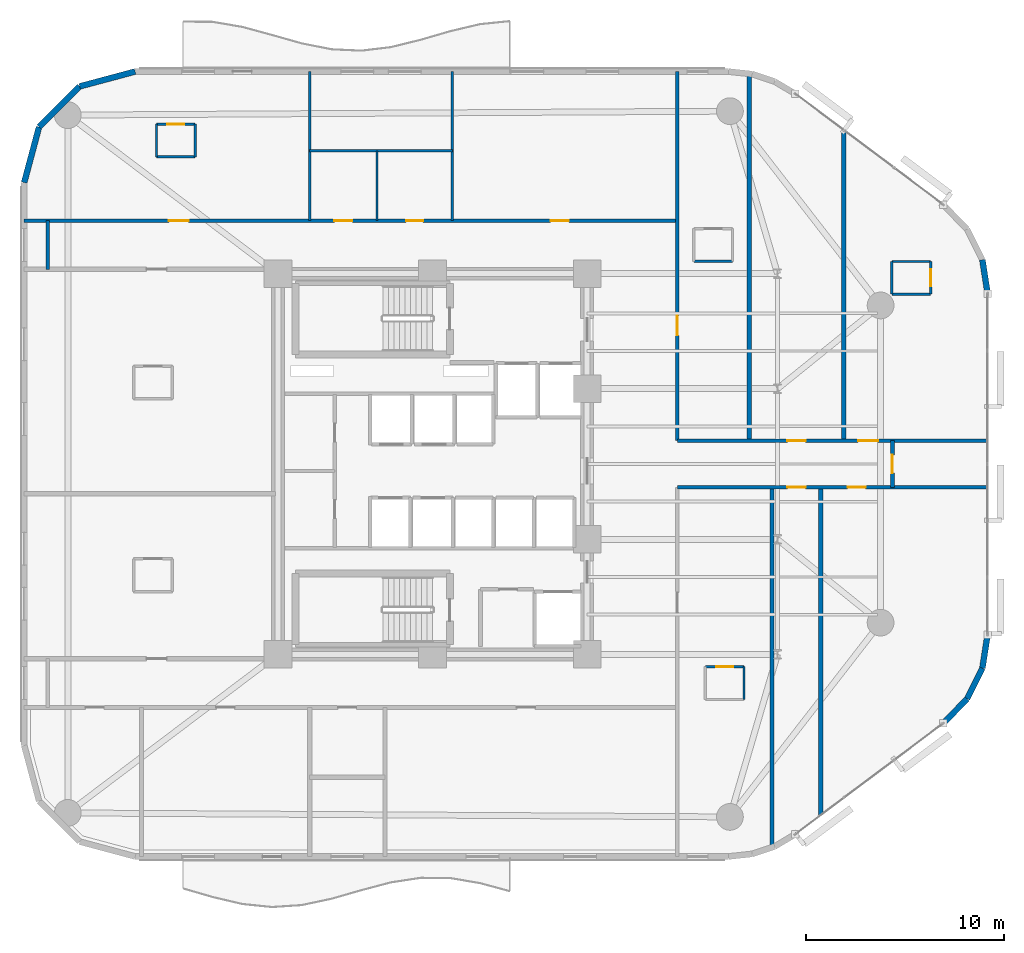
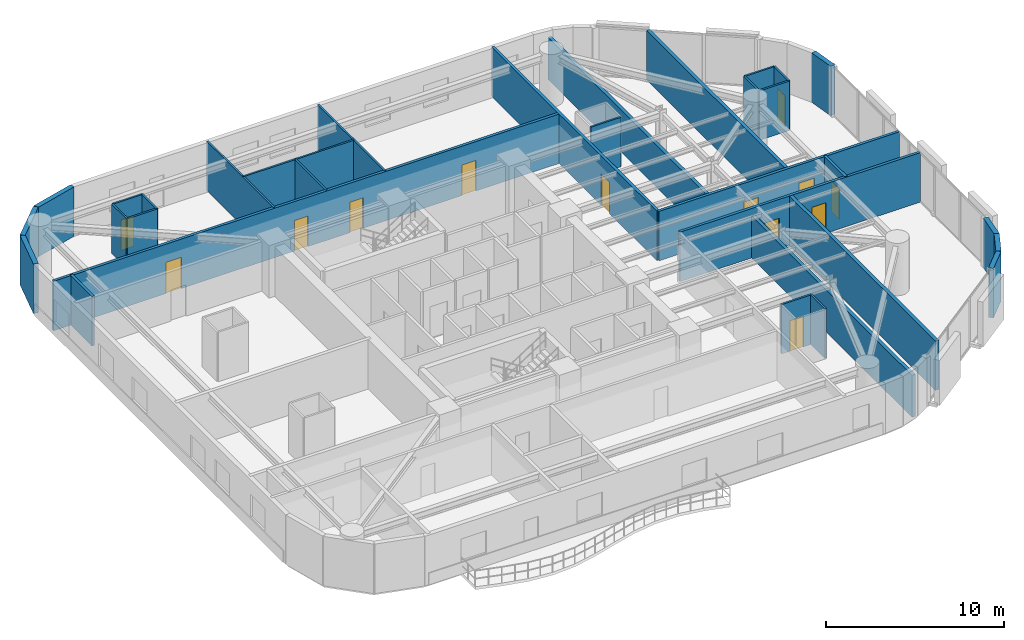
# One storey, part 12 of 16: 32 walls, 13 doors, 13 openings.
"""IFC4 building model written with IfcOpenShell, lengths in metres."""

from ifc_helpers import new_model, si_unit, direction, frame, frame_2d, origin, place, context, subcontext, project, spatial, rectangle, extrude, material, layer, layer_set, type_object, element, fill, save


model = new_model("IFC4")

# Units and contexts
model_context = context("Model", 3, precision=1e-05, world=origin(), true_north=direction((0.0, 1.0)))
body_context = subcontext(model_context, "Body", "Model", "MODEL_VIEW")
ifc_project = project(units=[si_unit("LENGTHUNIT", "METRE"), si_unit("AREAUNIT", "SQUARE_METRE"), si_unit("VOLUMEUNIT", "CUBIC_METRE"), si_unit("PLANEANGLEUNIT", "RADIAN"), si_unit("MASSUNIT", "GRAM", prefix="KILO")], contexts=[model_context])

# Site, building, storey
site_placement = place(None, origin())
site = spatial("IfcSite", under=ifc_project, at=site_placement, CompositionType="ELEMENT")
building_placement = place(site_placement, origin())
building = spatial("IfcBuilding", under=site, at=building_placement, Name="An Khanh Terracotta Commons", CompositionType="ELEMENT")
storey_placement = place(building_placement, frame((0.0, 0.0, 89.89990234375)))
storey = spatial("IfcBuildingStorey", under=building, at=storey_placement, Name="L23", CompositionType="ELEMENT", Elevation=89.89990234375)

# Wall, openings, doors
ifc_material_1 = material(Name="Fire-Rated Gypsum Board on Steel Stud", Category="steel")
ifc_layer_1 = layer(ifc_material_1, 0.179931640625, Name="Fire-Rated Gypsum Board on Steel Stud")
ifc_layer_set_1 = layer_set([ifc_layer_1], Name="Fire-Rated Gypsum Board on Steel Stud")
wall_type_1 = type_object("IfcWallType", Name="WALL-CORR-180", PredefinedType="PARTITIONING", material=ifc_layer_set_1)
wall_1_placement = place(storey_placement, frame((41.75, 22.820068359375, 0.0), z_axis=(0.0, 0.0, 1.0), x_axis=(1.0, 0.0, 0.0)))
wall_1 = element("IfcWall", 1, at=wall_1_placement, inside=storey, type_object=wall_type_1, Name="L23 Interior Partition IW-L23-E005", PredefinedType="PARTITIONING", context=body_context, shape_type="SweptSolid", body=[
    extrude(rectangle(XDim=15.64990234375, YDim=0.179931640625, at=frame_2d((7.824951171875, 0.0))), origin(), (0.0, 0.0, 1.0), 3.400146484375),
])
opening_1_placement = place(wall_1_placement, frame((5.54296875, 0.0, 0.0)))
opening_1 = element("IfcOpeningElement", 2, at=opening_1_placement, cuts=wall_1, Name="Opening D-RM", PredefinedType="OPENING", context=body_context, shape_type="SweptSolid", body=[
    extrude(rectangle(XDim=0.919921875, YDim=2.10009765625, at=frame_2d((0.4599609375, 1.050048828125))), frame((0.0, 0.099853515625, 0.0), z_axis=(0.0, -1.0, 0.0), x_axis=(1.0, 0.0, 0.0)), (0.0, 0.0, 1.0), 0.199951171875),
])
opening_2_placement = place(wall_1_placement, frame((8.5810546875, 0.0, 0.0)))
opening_2 = element("IfcOpeningElement", 3, at=opening_2_placement, cuts=wall_1, Name="Opening D-RM", PredefinedType="OPENING", context=body_context, shape_type="SweptSolid", body=[
    extrude(rectangle(XDim=0.919921875, YDim=2.10009765625, at=frame_2d((0.4599609375, 1.050048828125))), frame((0.0, 0.099853515625, 0.0), z_axis=(0.0, -1.0, 0.0), x_axis=(1.0, 0.0, 0.0)), (0.0, 0.0, 1.0), 0.199951171875),
])
ifc_material_2 = material(Name="Engineered Hardwood Timber Leaf", Category="wood")
door_type_1 = type_object("IfcDoorType", Name="DOOR-INT-920", OperationType="NOTDEFINED", PredefinedType="DOOR", material=ifc_material_2)
door_1_placement = place(opening_1_placement, origin())
door_1 = element("IfcDoor", 4, at=door_1_placement, inside=storey, type_object=door_type_1, Name="L23 SB2 Quiet Focus Office Door", OperationType="SINGLE_SWING_LEFT", OverallHeight=2.10009765625, OverallWidth=0.919921875, PredefinedType="DOOR", context=body_context, shape_type="SweptSolid", body=[
    extrude(rectangle(XDim=0.919921875, YDim=2.10009765625, at=frame_2d((0.4599609375, 1.050048828125))), frame((0.0, 0.02490234375, 0.0), z_axis=(0.0, -1.0, 0.0), x_axis=(1.0, 0.0, 0.0)), (0.0, 0.0, 1.0), 0.050048828125),
])
fill(opening_1, door_1)
door_2_placement = place(opening_2_placement, origin())
door_2 = element("IfcDoor", 5, at=door_2_placement, inside=storey, type_object=door_type_1, Name="L23 SB3 Quiet Focus Office Door", OperationType="SINGLE_SWING_RIGHT", OverallHeight=2.10009765625, OverallWidth=0.919921875, PredefinedType="DOOR", context=body_context, shape_type="SweptSolid", body=[
    extrude(rectangle(XDim=0.919921875, YDim=2.10009765625, at=frame_2d((0.4599609375, 1.050048828125))), frame((0.0, 0.02490234375, 0.0), z_axis=(0.0, -1.0, 0.0), x_axis=(1.0, 0.0, 0.0)), (0.0, 0.0, 1.0), 0.050048828125),
])
fill(opening_2, door_2)

wall_2_placement = place(storey_placement, frame((41.75, 25.179931640625, 0.0), z_axis=(0.0, 0.0, 1.0), x_axis=(1.0, 0.0, 0.0)))
wall_2 = element("IfcWall", 6, at=wall_2_placement, inside=storey, type_object=wall_type_1, Name="L23 Interior Partition IW-L23-E006", PredefinedType="PARTITIONING", context=body_context, shape_type="SweptSolid", body=[
    extrude(rectangle(XDim=15.64990234375, YDim=0.179931640625, at=frame_2d((7.824951171875, 0.0))), origin(), (0.0, 0.0, 1.0), 3.400146484375),
])
opening_3_placement = place(wall_2_placement, frame((5.5439453125, 0.0, 0.0)))
opening_3 = element("IfcOpeningElement", 7, at=opening_3_placement, cuts=wall_2, Name="Opening D-RM", PredefinedType="OPENING", context=body_context, shape_type="SweptSolid", body=[
    extrude(rectangle(XDim=0.919921875, YDim=2.10009765625, at=frame_2d((0.4599609375, 1.050048828125))), frame((0.0, 0.099853515625, 0.0), z_axis=(0.0, -1.0, 0.0), x_axis=(1.0, 0.0, 0.0)), (0.0, 0.0, 1.0), 0.199951171875),
])
opening_4_placement = place(wall_2_placement, frame((9.1201171875, 0.0, 0.0)))
opening_4 = element("IfcOpeningElement", 8, at=opening_4_placement, cuts=wall_2, Name="Opening D-UN", PredefinedType="OPENING", context=body_context, shape_type="SweptSolid", body=[
    extrude(rectangle(XDim=1.0, YDim=2.14990234375, at=frame_2d((0.5, 1.074951171875))), frame((0.0, 0.099853515625, 0.0), z_axis=(0.0, -1.0, 0.0), x_axis=(1.0, 0.0, 0.0)), (0.0, 0.0, 1.0), 0.199951171875),
])
door_3_placement = place(opening_3_placement, origin())
door_3 = element("IfcDoor", 9, at=door_3_placement, inside=storey, type_object=door_type_1, Name="L23 NB2 Quiet Focus Office Door", OperationType="SINGLE_SWING_RIGHT", OverallHeight=2.10009765625, OverallWidth=0.919921875, PredefinedType="DOOR", context=body_context, shape_type="SweptSolid", body=[
    extrude(rectangle(XDim=0.919921875, YDim=2.10009765625, at=frame_2d((0.4599609375, 1.050048828125))), frame((0.0, 0.02490234375, 0.0), z_axis=(0.0, -1.0, 0.0), x_axis=(1.0, 0.0, 0.0)), (0.0, 0.0, 1.0), 0.050048828125),
])
fill(opening_3, door_3)
ifc_material_3 = material(Name="Solid-Core Hardwood Acoustic Fire Door", Category="wood")
door_type_2 = type_object("IfcDoorType", Name="DOOR-UNIT-1000", OperationType="NOTDEFINED", PredefinedType="DOOR", material=ifc_material_3)
door_4_placement = place(opening_4_placement, origin())
door_4 = element("IfcDoor", 10, at=door_4_placement, inside=storey, type_object=door_type_2, Name="L23 NB3 Kitchenette and Studio Apartment Door", OperationType="SINGLE_SWING_LEFT", OverallHeight=2.14990234375, OverallWidth=1.0, PredefinedType="DOOR", context=body_context, shape_type="SweptSolid", body=[
    extrude(rectangle(XDim=1.0, YDim=2.14990234375, at=frame_2d((0.5, 1.074951171875))), frame((0.0, 0.02490234375, 0.0), z_axis=(0.0, -1.0, 0.0), x_axis=(1.0, 0.0, 0.0)), (0.0, 0.0, 1.0), 0.050048828125),
])
fill(opening_4, door_4)

wall_3_placement = place(storey_placement, frame((8.800048828125, 36.280029296875, 0.0), z_axis=(0.0, 0.0, 1.0), x_axis=(1.0, 0.0, 0.0)))
wall_3 = element("IfcWall", 11, at=wall_3_placement, inside=storey, type_object=wall_type_1, Name="L23 Interior Partition IW-L23-E008", PredefinedType="PARTITIONING", context=body_context, shape_type="SweptSolid", body=[
    extrude(rectangle(XDim=32.949951171875, YDim=0.179931640625, at=frame_2d((16.47509765625, 0.0))), origin(), (0.0, 0.0, 1.0), 3.400146484375),
])
opening_5_placement = place(wall_3_placement, frame((15.64990234375, 0.0, 0.0)))
opening_5 = element("IfcOpeningElement", 12, at=opening_5_placement, cuts=wall_3, Name="Opening D-WC", PredefinedType="OPENING", context=body_context, shape_type="SweptSolid", body=[
    extrude(rectangle(XDim=0.89990234375, YDim=2.10009765625, at=frame_2d((0.449951171875, 1.050048828125))), frame((0.0, 0.099853515625, 0.0), z_axis=(0.0, -1.0, 0.0), x_axis=(1.0, 0.0, 0.0)), (0.0, 0.0, 1.0), 0.199951171875),
])
opening_6_placement = place(wall_3_placement, frame((19.27001953125, 0.0, 0.0)))
opening_6 = element("IfcOpeningElement", 13, at=opening_6_placement, cuts=wall_3, Name="Opening D-ENS", PredefinedType="OPENING", context=body_context, shape_type="SweptSolid", body=[
    extrude(rectangle(XDim=0.860107421875, YDim=2.10009765625, at=frame_2d((0.43017578125, 1.050048828125))), frame((0.0, 0.099853515625, 0.0), z_axis=(0.0, -1.0, 0.0), x_axis=(1.0, 0.0, 0.0)), (0.0, 0.0, 1.0), 0.199951171875),
])
opening_7_placement = place(wall_3_placement, frame((7.300048828125, 0.0, 0.0)))
opening_7 = element("IfcOpeningElement", 14, at=opening_7_placement, cuts=wall_3, Name="Opening D-UN", PredefinedType="OPENING", context=body_context, shape_type="SweptSolid", body=[
    extrude(rectangle(XDim=1.0, YDim=2.14990234375, at=frame_2d((0.5, 1.074951171875))), frame((0.0, 0.099853515625, 0.0), z_axis=(0.0, -1.0, 0.0), x_axis=(1.0, 0.0, 0.0)), (0.0, 0.0, 1.0), 0.199951171875),
])
opening_8_placement = place(wall_3_placement, frame((26.554931640625, 0.0, 0.0)))
opening_8 = element("IfcOpeningElement", 15, at=opening_8_placement, cuts=wall_3, Name="Opening D-RM", PredefinedType="OPENING", context=body_context, shape_type="SweptSolid", body=[
    extrude(rectangle(XDim=0.919921875, YDim=2.10009765625, at=frame_2d((0.4599609375, 1.050048828125))), frame((0.0, 0.099853515625, 0.0), z_axis=(0.0, -1.0, 0.0), x_axis=(1.0, 0.0, 0.0)), (0.0, 0.0, 1.0), 0.199951171875),
])
ifc_material_4 = material(Name="Moisture-Resistant Hardwood Timber Leaf", Category="wood")
door_type_3 = type_object("IfcDoorType", Name="DOOR-BATH-860", OperationType="NOTDEFINED", PredefinedType="DOOR", material=ifc_material_4)
door_5_placement = place(opening_6_placement, origin())
door_5 = element("IfcDoor", 16, at=door_5_placement, inside=storey, type_object=door_type_3, Name="L23 SHW Resident Shared Shower and Washroom Door", OperationType="SINGLE_SWING_LEFT", OverallHeight=2.10009765625, OverallWidth=0.860107421875, PredefinedType="DOOR", context=body_context, shape_type="SweptSolid", body=[
    extrude(rectangle(XDim=0.860107421875, YDim=2.10009765625, at=frame_2d((0.43017578125, 1.050048828125))), frame((0.0, 0.02490234375, 0.0), z_axis=(0.0, -1.0, 0.0), x_axis=(1.0, 0.0, 0.0)), (0.0, 0.0, 1.0), 0.050048828125),
])
fill(opening_6, door_5)
door_6_placement = place(opening_8_placement, origin())
door_6 = element("IfcDoor", 17, at=door_6_placement, inside=storey, type_object=door_type_1, Name="L23 NWE Quiet Focus Office Door", OperationType="SINGLE_SWING_LEFT", OverallHeight=2.10009765625, OverallWidth=0.919921875, PredefinedType="DOOR", context=body_context, shape_type="SweptSolid", body=[
    extrude(rectangle(XDim=0.919921875, YDim=2.10009765625, at=frame_2d((0.4599609375, 1.050048828125))), frame((0.0, 0.02490234375, 0.0), z_axis=(0.0, -1.0, 0.0), x_axis=(1.0, 0.0, 0.0)), (0.0, 0.0, 1.0), 0.050048828125),
])
fill(opening_8, door_6)
door_7_placement = place(opening_7_placement, origin())
door_7 = element("IfcDoor", 18, at=door_7_placement, inside=storey, type_object=door_type_2, Name="L23 NW1 Kitchenette and Studio Apartment Door", OperationType="SINGLE_SWING_RIGHT", OverallHeight=2.14990234375, OverallWidth=1.0, PredefinedType="DOOR", context=body_context, shape_type="SweptSolid", body=[
    extrude(rectangle(XDim=1.0, YDim=2.14990234375, at=frame_2d((0.5, 1.074951171875))), frame((0.0, 0.02490234375, 0.0), z_axis=(0.0, -1.0, 0.0), x_axis=(1.0, 0.0, 0.0)), (0.0, 0.0, 1.0), 0.050048828125),
])
fill(opening_7, door_7)
ifc_material_5 = material(Name="Laminate Moisture-Resistant Timber Leaf", Category="wood")
door_type_4 = type_object("IfcDoorType", Name="DOOR-WC-900", OperationType="NOTDEFINED", PredefinedType="DOOR", material=ifc_material_5)
door_8_placement = place(opening_5_placement, origin())
door_8 = element("IfcDoor", 19, at=door_8_placement, inside=storey, type_object=door_type_4, Name="L23 AWC Accessible WC Door", OperationType="SINGLE_SWING_RIGHT", OverallHeight=2.10009765625, OverallWidth=0.89990234375, PredefinedType="DOOR", context=body_context, shape_type="SweptSolid", body=[
    extrude(rectangle(XDim=0.89990234375, YDim=2.10009765625, at=frame_2d((0.449951171875, 1.050048828125))), frame((0.0, 0.02490234375, 0.0), z_axis=(0.0, -1.0, 0.0), x_axis=(1.0, 0.0, 0.0)), (0.0, 0.0, 1.0), 0.050048828125),
])
fill(opening_5, door_8)

# Wall
wall_4_placement = place(storey_placement, frame((10.0, 33.820068359375, 0.0), z_axis=(0.0, 0.0, 1.0), x_axis=(0.0, 1.0, 0.0)))
element("IfcWall", 20, at=wall_4_placement, inside=storey, type_object=wall_type_1, Name="L23 Interior Partition IW-L23-E011", PredefinedType="PARTITIONING", context=body_context, shape_type="SweptSolid", body=[
    extrude(rectangle(XDim=2.4599609375, YDim=0.179931640625, at=frame_2d((1.22998046875, 0.0))), origin(), (0.0, 0.0, 1.0), 3.400146484375),
])

# Wall, opening, door
wall_5_placement = place(storey_placement, frame((41.75, 25.179931640625, 0.0), z_axis=(0.0, 0.0, 1.0), x_axis=(0.0, 1.0, 0.0)))
wall_5 = element("IfcWall", 21, at=wall_5_placement, inside=storey, type_object=wall_type_1, Name="L23 Interior Partition IW-L23-E019", PredefinedType="PARTITIONING", context=body_context, shape_type="SweptSolid", body=[
    extrude(rectangle(XDim=18.6201171875, YDim=0.179931640625, at=frame_2d((9.31005859375, 0.0))), origin(), (0.0, 0.0, 1.0), 3.400146484375),
])
opening_9_placement = place(wall_5_placement, frame((5.31005859375, 0.0, 0.0)))
opening_9 = element("IfcOpeningElement", 22, at=opening_9_placement, cuts=wall_5, Name="Opening D-UN", PredefinedType="OPENING", context=body_context, shape_type="SweptSolid", body=[
    extrude(rectangle(XDim=1.0, YDim=2.14990234375, at=frame_2d((0.5, 1.074951171875))), frame((0.0, 0.099853515625, 0.0), z_axis=(0.0, -1.0, 0.0), x_axis=(1.0, 0.0, 0.0)), (0.0, 0.0, 1.0), 0.199951171875),
])
door_9_placement = place(opening_9_placement, origin())
door_9 = element("IfcDoor", 23, at=door_9_placement, inside=storey, type_object=door_type_2, Name="L23 NB1 Kitchenette and Studio Apartment Door", OperationType="SINGLE_SWING_LEFT", OverallHeight=2.14990234375, OverallWidth=1.0, PredefinedType="DOOR", context=body_context, shape_type="SweptSolid", body=[
    extrude(rectangle(XDim=1.0, YDim=2.14990234375, at=frame_2d((0.5, 1.074951171875))), frame((0.0, 0.02490234375, 0.0), z_axis=(0.0, -1.0, 0.0), x_axis=(1.0, 0.0, 0.0)), (0.0, 0.0, 1.0), 0.050048828125),
])
fill(opening_9, door_9)

wall_6_placement = place(storey_placement, frame((52.60009765625, 22.820068359375, 0.0), z_axis=(0.0, 0.0, 1.0), x_axis=(0.0, 1.0, 0.0)))
wall_6 = element("IfcWall", 24, at=wall_6_placement, inside=storey, type_object=wall_type_1, Name="L23 Interior Partition IW-L23-E024", PredefinedType="PARTITIONING", context=body_context, shape_type="SweptSolid", body=[
    extrude(rectangle(XDim=2.35986328125, YDim=0.179931640625, at=frame_2d((1.179931640625, 0.0))), origin(), (0.0, 0.0, 1.0), 3.400146484375),
])
opening_10_placement = place(wall_6_placement, frame((0.719970703125, 0.0, 0.0)))
opening_10 = element("IfcOpeningElement", 25, at=opening_10_placement, cuts=wall_6, Name="Opening D-RM", PredefinedType="OPENING", context=body_context, shape_type="SweptSolid", body=[
    extrude(rectangle(XDim=0.919921875, YDim=2.10009765625, at=frame_2d((0.4599609375, 1.050048828125))), frame((0.0, 0.099853515625, 0.0), z_axis=(0.0, -1.0, 0.0), x_axis=(1.0, 0.0, 0.0)), (0.0, 0.0, 1.0), 0.199951171875),
])
door_10_placement = place(opening_10_placement, origin())
door_10 = element("IfcDoor", 26, at=door_10_placement, inside=storey, type_object=door_type_1, Name="L23 GHE Riverfront Study Office Door", OperationType="SINGLE_SWING_LEFT", OverallHeight=2.10009765625, OverallWidth=0.919921875, PredefinedType="DOOR", context=body_context, shape_type="SweptSolid", body=[
    extrude(rectangle(XDim=0.919921875, YDim=2.10009765625, at=frame_2d((0.4599609375, 1.050048828125))), frame((0.0, 0.02490234375, 0.0), z_axis=(0.0, -1.0, 0.0), x_axis=(1.0, 0.0, 0.0)), (0.0, 0.0, 1.0), 0.050048828125),
])
fill(opening_10, door_10)

# Walls
ifc_material_6 = material(Name="Precast concrete C40/50", Category="concrete")
ifc_layer_2 = layer(ifc_material_6, 0.300048828125, Name="Precast concrete C40/50")
ifc_layer_set_2 = layer_set([ifc_layer_2], Name="Precast concrete C40/50")
wall_type_2 = type_object("IfcWallType", Name="WALL-EXT-300", PredefinedType="SOLIDWALL", material=ifc_layer_set_2)
for number, where, z_axis, x_axis, name in (
    (27, (55.159912109375, 10.919921875, 0.0), (0.0, 0.0, 1.0), (0.6983450845, 0.715761233201, 0.0), "L23 Insulated Terracotta Exterior Wall 9"),
    (28, (56.364013671875, 12.154052734375, 0.0), (0.0, 0.0, 1.0), (0.4472135955, 0.894427191, 0.0), "L23 Insulated Terracotta Exterior Wall 10"),
):
    element("IfcWall", number, at=place(storey_placement, frame(where, z_axis=z_axis, x_axis=x_axis)), inside=storey, type_object=wall_type_2, Name=name, PredefinedType="SOLIDWALL", context=body_context, shape_type="SweptSolid", body=[
        extrude(rectangle(XDim=1.72412109375, YDim=0.300048828125, at=frame_2d((0.862060546875, 0.0))), origin(), (0.0, 0.0, 1.0), 3.400146484375),
    ])
for number, where, z_axis, x_axis, name in (
    (29, (57.135009765625, 13.696044921875, 0.0), (0.0, 0.0, 1.0), (0.153620989032, 0.988129845581, 0.0), "L23 Insulated Terracotta Exterior Wall 11"),
    (30, (57.39990234375, 32.60009765625, 0.0), (0.0, 0.0, 1.0), (-0.153620989032, 0.988129845581, 0.0), "L23 Insulated Terracotta Exterior Wall 13"),
):
    element("IfcWall", number, at=place(storey_placement, frame(where, z_axis=z_axis, x_axis=x_axis)), inside=storey, type_object=wall_type_2, Name=name, PredefinedType="SOLIDWALL", context=body_context, shape_type="SweptSolid", body=[
        extrude(rectangle(XDim=1.724365234375, YDim=0.300048828125, at=frame_2d((0.8623046875, 0.0))), origin(), (0.0, 0.0, 1.0), 3.400146484375),
    ])
wall_7_placement = place(storey_placement, frame((14.39990234375, 43.800048828125, 0.0), z_axis=(0.0, 0.0, 1.0), x_axis=(-0.965943540406, -0.258752926066, 0.0)))
element("IfcWall", 31, at=wall_7_placement, inside=storey, type_object=wall_type_2, Name="L23 Insulated Terracotta Exterior Wall 21", PredefinedType="SOLIDWALL", context=body_context, shape_type="SweptSolid", body=[
    extrude(rectangle(XDim=2.8984375, YDim=0.300048828125, at=frame_2d((1.44921875, 0.0))), origin(), (0.0, 0.0, 1.0), 3.400146484375),
])
wall_8_placement = place(storey_placement, frame((11.60009765625, 43.050048828125, 0.0), z_axis=(0.0, 0.0, 1.0), x_axis=(-0.707106781187, -0.707106781187, 0.0)))
element("IfcWall", 32, at=wall_8_placement, inside=storey, type_object=wall_type_2, Name="L23 Insulated Terracotta Exterior Wall 22", PredefinedType="SOLIDWALL", context=body_context, shape_type="SweptSolid", body=[
    extrude(rectangle(XDim=2.899169921875, YDim=0.300048828125, at=frame_2d((1.44970703125, 0.0))), origin(), (0.0, 0.0, 1.0), 3.400146484375),
])
wall_9_placement = place(storey_placement, frame((9.550048828125, 41.0, 0.0), z_axis=(0.0, 0.0, 1.0), x_axis=(-0.258731875344, -0.96594917914, 0.0)))
element("IfcWall", 33, at=wall_9_placement, inside=storey, type_object=wall_type_2, Name="L23 Insulated Terracotta Exterior Wall 23", PredefinedType="SOLIDWALL", context=body_context, shape_type="SweptSolid", body=[
    extrude(rectangle(XDim=2.898681640625, YDim=0.300048828125, at=frame_2d((1.44921875, 0.0))), origin(), (0.0, 0.0, 1.0), 3.400146484375),
])
ifc_material_7 = material(Name="Acoustic Double-Stud Gypsum and Mineral Wool")
ifc_layer_3 = layer(ifc_material_7, 0.219970703125, Name="Acoustic Double-Stud Gypsum and Mineral Wool")
ifc_layer_set_3 = layer_set([ifc_layer_3], Name="Acoustic Double-Stud Gypsum and Mineral Wool")
wall_type_3 = type_object("IfcWallType", Name="WALL-PARTY-220", PredefinedType="PARTITIONING", material=ifc_layer_set_3)
wall_10_placement = place(storey_placement, frame((45.366943359375, 25.179931640625, 0.0), z_axis=(0.0, 0.0, 1.0), x_axis=(0.0, 1.0, 0.0)))
element("IfcWall", 34, at=wall_10_placement, inside=storey, type_object=wall_type_3, Name="L23 Interior Partition IW-L23-E020", PredefinedType="PARTITIONING", context=body_context, shape_type="SweptSolid", body=[
    extrude(rectangle(XDim=18.509033203125, YDim=0.219970703125, at=frame_2d((9.25439453125, 0.0))), origin(), (0.0, 0.0, 1.0), 2.882080078125),
])
wall_11_placement = place(storey_placement, frame((46.52392578125, 4.660888671875, 0.0), z_axis=(0.0, 0.0, 1.0), x_axis=(0.0, 1.0, 0.0)))
element("IfcWall", 35, at=wall_11_placement, inside=storey, type_object=wall_type_3, Name="L23 Interior Partition IW-L23-E021", PredefinedType="PARTITIONING", context=body_context, shape_type="SweptSolid", body=[
    extrude(rectangle(XDim=18.1591796875, YDim=0.219970703125, at=frame_2d((9.07958984375, 0.0))), origin(), (0.0, 0.0, 1.0), 2.882080078125),
])
wall_12_placement = place(storey_placement, frame((48.98291015625, 6.287109375, 0.0), z_axis=(0.0, 0.0, 1.0), x_axis=(0.0, 1.0, 0.0)))
element("IfcWall", 36, at=wall_12_placement, inside=storey, type_object=wall_type_3, Name="L23 Interior Partition IW-L23-E022", PredefinedType="PARTITIONING", context=body_context, shape_type="SweptSolid", body=[
    extrude(rectangle(XDim=16.532958984375, YDim=0.219970703125, at=frame_2d((8.2666015625, 0.0))), origin(), (0.0, 0.0, 1.0), 3.400146484375),
])
wall_13_placement = place(storey_placement, frame((50.14111328125, 25.179931640625, 0.0), z_axis=(0.0, 0.0, 1.0), x_axis=(0.0, 1.0, 0.0)))
element("IfcWall", 37, at=wall_13_placement, inside=storey, type_object=wall_type_3, Name="L23 Interior Partition IW-L23-E023", PredefinedType="PARTITIONING", context=body_context, shape_type="SweptSolid", body=[
    extrude(rectangle(XDim=15.6640625, YDim=0.219970703125, at=frame_2d((7.83203125, 0.0))), origin(), (0.0, 0.0, 1.0), 3.400146484375),
])
ifc_material_8 = material(Name="Moisture-Resistant Cement Board Partition")
ifc_layer_4 = layer(ifc_material_8, 0.1201171875, Name="Moisture-Resistant Cement Board Partition")
ifc_layer_set_4 = layer_set([ifc_layer_4], Name="Moisture-Resistant Cement Board Partition")
wall_type_4 = type_object("IfcWallType", Name="WALL-WET-120", PredefinedType="PARTITIONING", material=ifc_layer_set_4)
for number, where, z_axis, x_axis, name in (
    (38, (44.532958984375, 34.22509765625, 0.0), (0.0, 0.0, 1.0), (-1.0, 0.0, 0.0), "L23 Interior Partition IW-L23-NB1-BS"),
    (39, (52.572021484375, 34.215087890625, 0.0), (0.0, 0.0, 1.0), (1.0, 0.0, 0.0), "L23 Interior Partition IW-L23-NB3-BN"),
    (40, (54.52197265625, 32.56494140625, 0.0), (0.0, 0.0, 1.0), (-1.0, 0.0, 0.0), "L23 Interior Partition IW-L23-NB3-BS"),
):
    element("IfcWall", number, at=place(storey_placement, frame(where, z_axis=z_axis, x_axis=x_axis)), inside=storey, type_object=wall_type_4, Name=name, PredefinedType="PARTITIONING", context=body_context, shape_type="SweptSolid", body=[
        extrude(rectangle(XDim=1.949951171875, YDim=0.1201171875, at=frame_2d((0.97509765625, 0.0))), origin(), (0.0, 0.0, 1.0), 3.400146484375),
    ])
wall_14_placement = place(storey_placement, frame((52.572021484375, 34.215087890625, 0.0), z_axis=(0.0, 0.0, 1.0), x_axis=(0.0, -1.0, 0.0)))
element("IfcWall", 41, at=wall_14_placement, inside=storey, type_object=wall_type_4, Name="L23 Interior Partition IW-L23-NB3-BW", PredefinedType="PARTITIONING", context=body_context, shape_type="SweptSolid", body=[
    extrude(rectangle(XDim=1.650146484375, YDim=0.1201171875, at=frame_2d((0.8251953125, 0.0))), origin(), (0.0, 0.0, 1.0), 3.400146484375),
])

# Wall, opening, door
wall_15_placement = place(storey_placement, frame((54.52197265625, 32.56494140625, 0.0), z_axis=(0.0, 0.0, 1.0), x_axis=(0.0, 1.0, 0.0)))
wall_15 = element("IfcWall", 42, at=wall_15_placement, inside=storey, type_object=wall_type_4, Name="L23 Interior Partition IW-L23-NB3-BE", PredefinedType="PARTITIONING", context=body_context, shape_type="SweptSolid", body=[
    extrude(rectangle(XDim=1.650146484375, YDim=0.1201171875, at=frame_2d((0.8251953125, 0.0))), origin(), (0.0, 0.0, 1.0), 3.400146484375),
])
opening_11_placement = place(wall_15_placement, frame((0.39501953125, 0.0, 0.0)))
opening_11 = element("IfcOpeningElement", 43, at=opening_11_placement, cuts=wall_15, Name="Opening D-ENS", PredefinedType="OPENING", context=body_context, shape_type="SweptSolid", body=[
    extrude(rectangle(XDim=0.860107421875, YDim=2.10009765625, at=frame_2d((0.43017578125, 1.050048828125))), frame((0.0, 0.070068359375, 0.0), z_axis=(0.0, -1.0, 0.0), x_axis=(1.0, 0.0, 0.0)), (0.0, 0.0, 1.0), 0.14013671875),
])
door_11_placement = place(opening_11_placement, origin())
door_11 = element("IfcDoor", 44, at=door_11_placement, inside=storey, type_object=door_type_3, Name="L23 Studio NB3 En-suite Door", OperationType="SINGLE_SWING_LEFT", OverallHeight=2.10009765625, OverallWidth=0.860107421875, PredefinedType="DOOR", context=body_context, shape_type="SweptSolid", body=[
    extrude(rectangle(XDim=0.860107421875, YDim=2.10009765625, at=frame_2d((0.43017578125, 1.050048828125))), frame((0.0, 0.02490234375, 0.0), z_axis=(0.0, -1.0, 0.0), x_axis=(1.0, 0.0, 0.0)), (0.0, 0.0, 1.0), 0.050048828125),
])
fill(opening_11, door_11)

wall_16_placement = place(storey_placement, frame((43.162109375, 13.77490234375, 0.0), z_axis=(0.0, 0.0, 1.0), x_axis=(1.0, 0.0, 0.0)))
wall_16 = element("IfcWall", 45, at=wall_16_placement, inside=storey, type_object=wall_type_4, Name="L23 Interior Partition IW-L23-SB1-BN", PredefinedType="PARTITIONING", context=body_context, shape_type="SweptSolid", body=[
    extrude(rectangle(XDim=1.949951171875, YDim=0.1201171875, at=frame_2d((0.97509765625, 0.0))), origin(), (0.0, 0.0, 1.0), 3.400146484375),
])
opening_12_placement = place(wall_16_placement, frame((0.544921875, 0.0, 0.0)))
opening_12 = element("IfcOpeningElement", 46, at=opening_12_placement, cuts=wall_16, Name="Opening D-ENS", PredefinedType="OPENING", context=body_context, shape_type="SweptSolid", body=[
    extrude(rectangle(XDim=0.860107421875, YDim=2.10009765625, at=frame_2d((0.43017578125, 1.050048828125))), frame((0.0, 0.070068359375, 0.0), z_axis=(0.0, -1.0, 0.0), x_axis=(1.0, 0.0, 0.0)), (0.0, 0.0, 1.0), 0.14013671875),
])
door_12_placement = place(opening_12_placement, origin())
door_12 = element("IfcDoor", 47, at=door_12_placement, inside=storey, type_object=door_type_3, Name="L23 Studio SB1 En-suite Door", OperationType="SINGLE_SWING_RIGHT", OverallHeight=2.10009765625, OverallWidth=0.860107421875, PredefinedType="DOOR", context=body_context, shape_type="SweptSolid", body=[
    extrude(rectangle(XDim=0.860107421875, YDim=2.10009765625, at=frame_2d((0.43017578125, 1.050048828125))), frame((0.0, 0.02490234375, 0.0), z_axis=(0.0, -1.0, 0.0), x_axis=(1.0, 0.0, 0.0)), (0.0, 0.0, 1.0), 0.050048828125),
])
fill(opening_12, door_12)

# Wall
wall_17_placement = place(storey_placement, frame((45.112060546875, 12.125, 0.0), z_axis=(0.0, 0.0, 1.0), x_axis=(0.0, 1.0, 0.0)))
element("IfcWall", 48, at=wall_17_placement, inside=storey, type_object=wall_type_4, Name="L23 Interior Partition IW-L23-SB1-BE", PredefinedType="PARTITIONING", context=body_context, shape_type="SweptSolid", body=[
    extrude(rectangle(XDim=1.64990234375, YDim=0.1201171875, at=frame_2d((0.824951171875, 0.0))), origin(), (0.0, 0.0, 1.0), 3.400146484375),
])

# Wall, opening, door
wall_18_placement = place(storey_placement, frame((15.47412109375, 41.14208984375, 0.0), z_axis=(0.0, 0.0, 1.0), x_axis=(1.0, 0.0, 0.0)))
wall_18 = element("IfcWall", 49, at=wall_18_placement, inside=storey, type_object=wall_type_4, Name="L23 Interior Partition IW-L23-NW1-BN", PredefinedType="PARTITIONING", context=body_context, shape_type="SweptSolid", body=[
    extrude(rectangle(XDim=1.949951171875, YDim=0.1201171875, at=frame_2d((0.97509765625, 0.0))), origin(), (0.0, 0.0, 1.0), 3.400146484375),
])
opening_13_placement = place(wall_18_placement, frame((0.544921875, 0.0, 0.0)))
opening_13 = element("IfcOpeningElement", 50, at=opening_13_placement, cuts=wall_18, Name="Opening D-ENS", PredefinedType="OPENING", context=body_context, shape_type="SweptSolid", body=[
    extrude(rectangle(XDim=0.860107421875, YDim=2.10009765625, at=frame_2d((0.43017578125, 1.050048828125))), frame((0.0, 0.070068359375, 0.0), z_axis=(0.0, -1.0, 0.0), x_axis=(1.0, 0.0, 0.0)), (0.0, 0.0, 1.0), 0.14013671875),
])
door_13_placement = place(opening_13_placement, origin())
door_13 = element("IfcDoor", 51, at=door_13_placement, inside=storey, type_object=door_type_3, Name="L23 Studio NW1 En-suite Door", OperationType="SINGLE_SWING_LEFT", OverallHeight=2.10009765625, OverallWidth=0.860107421875, PredefinedType="DOOR", context=body_context, shape_type="SweptSolid", body=[
    extrude(rectangle(XDim=0.860107421875, YDim=2.10009765625, at=frame_2d((0.43017578125, 1.050048828125))), frame((0.0, 0.02490234375, 0.0), z_axis=(0.0, -1.0, 0.0), x_axis=(1.0, 0.0, 0.0)), (0.0, 0.0, 1.0), 0.050048828125),
])
fill(opening_13, door_13)

# Walls
wall_19_placement = place(storey_placement, frame((17.424072265625, 39.491943359375, 0.0), z_axis=(0.0, 0.0, 1.0), x_axis=(-1.0, 0.0, 0.0)))
element("IfcWall", 52, at=wall_19_placement, inside=storey, type_object=wall_type_4, Name="L23 Interior Partition IW-L23-NW1-BS", PredefinedType="PARTITIONING", context=body_context, shape_type="SweptSolid", body=[
    extrude(rectangle(XDim=1.949951171875, YDim=0.1201171875, at=frame_2d((0.97509765625, 0.0))), origin(), (0.0, 0.0, 1.0), 3.400146484375),
])
for number, where, z_axis, x_axis, name in (
    (53, (15.47412109375, 41.14208984375, 0.0), (0.0, 0.0, 1.0), (0.0, -1.0, 0.0), "L23 Interior Partition IW-L23-NW1-BW"),
    (54, (17.424072265625, 39.491943359375, 0.0), (0.0, 0.0, 1.0), (0.0, 1.0, 0.0), "L23 Interior Partition IW-L23-NW1-BE"),
):
    element("IfcWall", number, at=place(storey_placement, frame(where, z_axis=z_axis, x_axis=x_axis)), inside=storey, type_object=wall_type_4, Name=name, PredefinedType="PARTITIONING", context=body_context, shape_type="SweptSolid", body=[
        extrude(rectangle(XDim=1.650146484375, YDim=0.1201171875, at=frame_2d((0.8251953125, 0.0))), origin(), (0.0, 0.0, 1.0), 3.400146484375),
    ])
wall_20_placement = place(storey_placement, frame((23.199951171875, 39.800048828125, 0.0), z_axis=(0.0, 0.0, 1.0), x_axis=(1.0, 0.0, 0.0)))
element("IfcWall", 55, at=wall_20_placement, inside=storey, type_object=wall_type_4, Name="L23 Interior Partition IW-L23-E009", PredefinedType="PARTITIONING", context=body_context, shape_type="SweptSolid", body=[
    extrude(rectangle(XDim=7.199951171875, YDim=0.1201171875, at=frame_2d((3.60009765625, 0.0))), origin(), (0.0, 0.0, 1.0), 3.400146484375),
])
wall_21_placement = place(storey_placement, frame((23.199951171875, 36.280029296875, 0.0), z_axis=(0.0, 0.0, 1.0), x_axis=(0.0, 1.0, 0.0)))
element("IfcWall", 56, at=wall_21_placement, inside=storey, type_object=wall_type_4, Name="L23 Interior Partition IW-L23-E014", PredefinedType="PARTITIONING", context=body_context, shape_type="SweptSolid", body=[
    extrude(rectangle(XDim=7.52001953125, YDim=0.1201171875, at=frame_2d((3.760009765625, 0.0))), origin(), (0.0, 0.0, 1.0), 3.400146484375),
])
wall_22_placement = place(storey_placement, frame((26.60009765625, 36.280029296875, 0.0), z_axis=(0.0, 0.0, 1.0), x_axis=(0.0, 1.0, 0.0)))
element("IfcWall", 57, at=wall_22_placement, inside=storey, type_object=wall_type_4, Name="L23 Interior Partition IW-L23-E015", PredefinedType="PARTITIONING", context=body_context, shape_type="SweptSolid", body=[
    extrude(rectangle(XDim=3.52001953125, YDim=0.1201171875, at=frame_2d((1.760009765625, 0.0))), origin(), (0.0, 0.0, 1.0), 3.400146484375),
])
wall_23_placement = place(storey_placement, frame((30.39990234375, 36.280029296875, 0.0), z_axis=(0.0, 0.0, 1.0), x_axis=(0.0, 1.0, 0.0)))
element("IfcWall", 58, at=wall_23_placement, inside=storey, type_object=wall_type_4, Name="L23 Interior Partition IW-L23-E017", PredefinedType="PARTITIONING", context=body_context, shape_type="SweptSolid", body=[
    extrude(rectangle(XDim=7.52001953125, YDim=0.1201171875, at=frame_2d((3.760009765625, 0.0))), origin(), (0.0, 0.0, 1.0), 3.400146484375),
])

save(model, "model.ifc")
